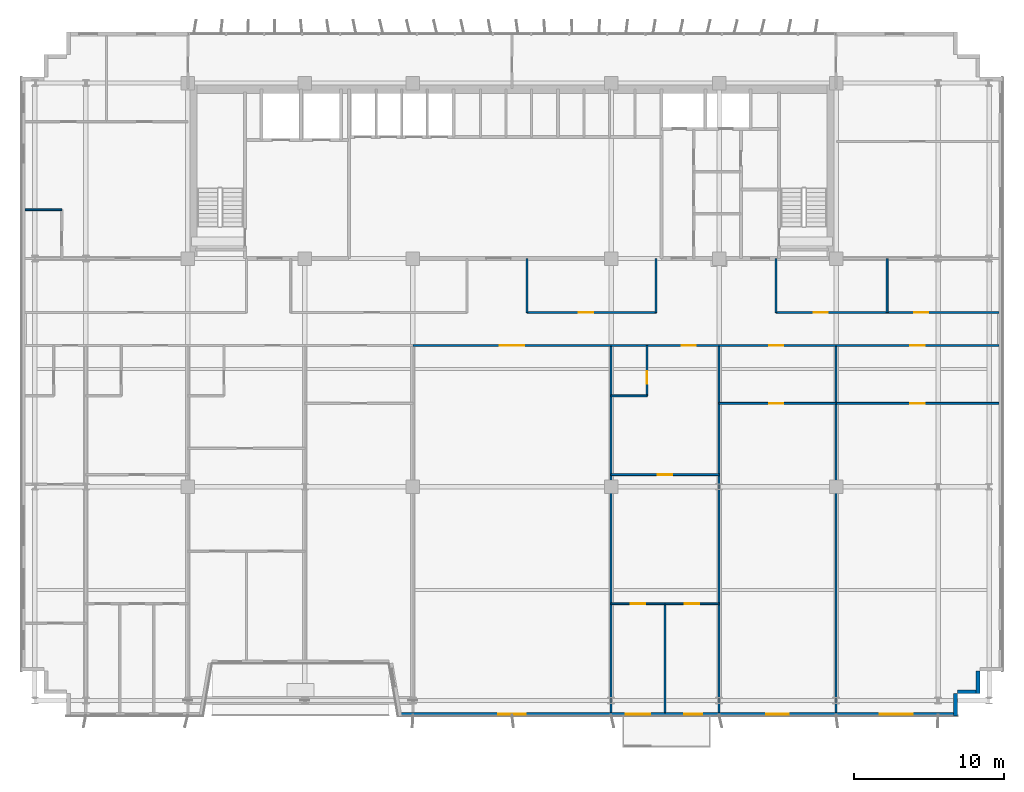
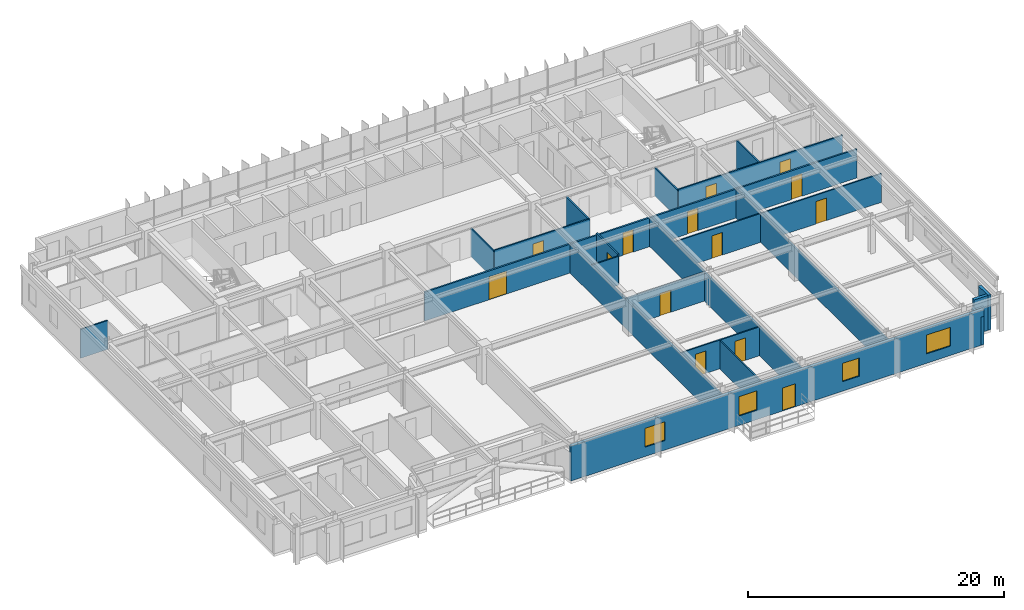
# One storey, part 17 of 23: 26 walls, 14 doors, 4 windows, 18 openings.
"""IFC4 building model written with IfcOpenShell, lengths in metres."""

from ifc_helpers import new_model, si_unit, direction, frame, frame_2d, origin, place, context, subcontext, project, spatial, rectangle, extrude, source, transform, mapped, material, layer, layer_set, type_object, element, fill, save


model = new_model("IFC4")

# Units and contexts
model_context = context("Model", 3, precision=1e-05, world=origin(), true_north=direction((0.0, 1.0)))
body_context = subcontext(model_context, "Body", "Model", "MODEL_VIEW")
ifc_project = project(units=[si_unit("LENGTHUNIT", "METRE"), si_unit("AREAUNIT", "SQUARE_METRE"), si_unit("VOLUMEUNIT", "CUBIC_METRE"), si_unit("PLANEANGLEUNIT", "RADIAN"), si_unit("MASSUNIT", "GRAM", prefix="KILO")], contexts=[model_context])

# Site, building, storey
site_placement = place(None, origin())
site = spatial("IfcSite", under=ifc_project, at=site_placement, CompositionType="ELEMENT")
building_placement = place(site_placement, origin())
building = spatial("IfcBuilding", under=site, at=building_placement, Name="Trelvane Seafront Commons", CompositionType="ELEMENT")
storey_placement = place(building_placement, frame((0.0, 0.0, 63.10009765625)))
storey = spatial("IfcBuildingStorey", under=building, at=storey_placement, Name="L16", CompositionType="ELEMENT", Elevation=63.10009765625)

# Walls
ifc_material_1 = material(Name="Precast concrete C40/50", Category="concrete")
ifc_layer_1 = layer(ifc_material_1, 0.260009765625, Name="ARCH-WALL-EXT260")
ifc_layer_set_1 = layer_set([ifc_layer_1], Name="Precast concrete C40/50")
wall_type_1 = type_object("IfcWallType", Name="ARCH-WALL-EXT260", PredefinedType="SOLIDWALL", material=ifc_layer_set_1)
for number, where, z_axis, x_axis, name in (
    (1, (68.27001953125, 5.89990234375, 0.0), (0.0, 0.0, 1.0), (0.0, -1.0, 0.0), "EW-L16-00292"),
    (2, (68.39990234375, 4.530029296875, 0.0), (0.0, 0.0, 1.0), (-1.0, 0.0, 0.0), "EW-L16-00293"),
):
    element("IfcWall", number, at=place(storey_placement, frame(where, z_axis=z_axis, x_axis=x_axis)), inside=storey, type_object=wall_type_1, Name=name, PredefinedType="SOLIDWALL", context=body_context, shape_type="SweptSolid", body=[
        extrude(rectangle(XDim=1.5, YDim=0.260009765625, at=frame_2d((0.75, 0.0))), origin(), (0.0, 0.0, 1.0), 3.33984375),
    ])
wall_1_placement = place(storey_placement, frame((66.77001953125, 4.39990234375, 0.0), z_axis=(0.0, 0.0, 1.0), x_axis=(0.0, -1.0, 0.0)))
element("IfcWall", 3, at=wall_1_placement, inside=storey, type_object=wall_type_1, Name="EW-L16-00294", PredefinedType="SOLIDWALL", context=body_context, shape_type="SweptSolid", body=[
    extrude(rectangle(XDim=1.5, YDim=0.260009765625, at=frame_2d((0.75, 0.0))), origin(), (0.0, 0.0, 1.0), 2.68994140625),
])

# Wall, openings, door, windows
wall_2_placement = place(storey_placement, frame((66.89990234375, 3.030029296875, 0.0), z_axis=(0.0, 0.0, 1.0), x_axis=(-1.0, 0.0, 0.0)))
wall_2 = element("IfcWall", 4, at=wall_2_placement, inside=storey, type_object=wall_type_1, Name="EW-L16-00295", PredefinedType="SOLIDWALL", context=body_context, shape_type="SweptSolid", body=[
    extrude(rectangle(XDim=37.2998046875, YDim=0.260009765625, at=frame_2d((18.64990234375, 0.0))), origin(), (0.0, 0.0, 1.0), 3.33984375),
])
opening_1_placement = place(wall_2_placement, frame((2.9951171875, 0.0, 0.89990234375)))
opening_1 = element("IfcOpeningElement", 5, at=opening_1_placement, cuts=wall_2, Name="Opening W02", PredefinedType="OPENING", context=body_context, shape_type="SweptSolid", body=[
    extrude(rectangle(XDim=2.199951171875, YDim=1.800048828125, at=frame_2d((1.10009765625, 0.89990234375))), frame((0.0, 0.139892578125, 0.0), z_axis=(0.0, -1.0, 0.0), x_axis=(1.0, 0.0, 0.0)), (0.0, 0.0, 1.0), 0.280029296875),
])
opening_2_placement = place(wall_2_placement, frame((11.25, 0.0, 0.89990234375)))
opening_2 = element("IfcOpeningElement", 6, at=opening_2_placement, cuts=wall_2, Name="Opening W03", PredefinedType="OPENING", context=body_context, shape_type="SweptSolid", body=[
    extrude(rectangle(XDim=1.5, YDim=1.75, at=frame_2d((0.75, 0.875))), frame((0.0, 0.139892578125, 0.0), z_axis=(0.0, -1.0, 0.0), x_axis=(1.0, 0.0, 0.0)), (0.0, 0.0, 1.0), 0.280029296875),
])
opening_3_placement = place(wall_2_placement, frame((17.007080078125, 0.0, 0.0)))
opening_3 = element("IfcOpeningElement", 7, at=opening_3_placement, cuts=wall_2, Name="Opening BD-L16-42", PredefinedType="OPENING", context=body_context, shape_type="SweptSolid", body=[
    extrude(rectangle(XDim=1.199951171875, YDim=2.199951171875, at=frame_2d((0.60009765625, 1.10009765625))), frame((0.0, 0.139892578125, 0.0), z_axis=(0.0, -1.0, 0.0), x_axis=(1.0, 0.0, 0.0)), (0.0, 0.0, 1.0), 0.280029296875),
])
opening_4_placement = place(wall_2_placement, frame((20.47509765625, 0.0, 0.89990234375)))
opening_4 = element("IfcOpeningElement", 8, at=opening_4_placement, cuts=wall_2, Name="Opening W07", PredefinedType="OPENING", context=body_context, shape_type="SweptSolid", body=[
    extrude(rectangle(XDim=1.64990234375, YDim=1.85009765625, at=frame_2d((0.824951171875, 0.925048828125))), frame((0.0, 0.139892578125, 0.0), z_axis=(0.0, -1.0, 0.0), x_axis=(1.0, 0.0, 0.0)), (0.0, 0.0, 1.0), 0.280029296875),
])
opening_5_placement = place(wall_2_placement, frame((28.800048828125, 0.0, 0.89990234375)))
opening_5 = element("IfcOpeningElement", 9, at=opening_5_placement, cuts=wall_2, Name="Opening W01", PredefinedType="OPENING", context=body_context, shape_type="SweptSolid", body=[
    extrude(rectangle(XDim=1.800048828125, YDim=1.800048828125, at=frame_2d((0.89990234375, 0.89990234375))), frame((0.0, 0.139892578125, 0.0), z_axis=(0.0, -1.0, 0.0), x_axis=(1.0, 0.0, 0.0)), (0.0, 0.0, 1.0), 0.280029296875),
])
ifc_material_2 = material(Name="Powder-coated aluminium frame", Category="aluminium")
door_type_1 = type_object("IfcDoorType", Name="ARCH-DR-BAL1200", OperationType="NOTDEFINED", PredefinedType="DOOR", material=ifc_material_2)
shared_shape_1 = source(origin(), body_context, "Body", "SweptSolid", [
    extrude(rectangle(XDim=1.199951171875, YDim=2.199951171875, at=frame_2d((0.60009765625, 1.10009765625))), frame((0.0, 0.02490234375, 0.0), z_axis=(0.0, -1.0, 0.0), x_axis=(1.0, 0.0, 0.0)), (0.0, 0.0, 1.0), 0.050048828125),
])
door_1_placement = place(opening_3_placement, origin())
door_1 = element("IfcDoor", 10, at=door_1_placement, inside=storey, type_object=door_type_1, Name="L16 Balcony Terrace Access Door", OperationType="SINGLE_SWING_LEFT", OverallHeight=2.199951171875, OverallWidth=1.199951171875, PredefinedType="DOOR", context=body_context, shape_type="MappedRepresentation", body=[
    mapped(shared_shape_1, transform((0.0, 0.0, 0.0), x_axis=(1.0, 0.0, 0.0), y_axis=(0.0, 1.0, 0.0), z_axis=(0.0, 0.0, 1.0), scale=1.0)),
])
fill(opening_3, door_1)
ifc_material_3 = material(Name="Low-E coastal double glazing", Category="glass")
window_type_1 = type_object("IfcWindowType", Name="ARCH-WIN-W02", PartitioningType="SINGLE_PANEL", PredefinedType="WINDOW", material=ifc_material_3)
shared_shape_2 = source(origin(), body_context, "Body", "SweptSolid", [
    extrude(rectangle(XDim=2.199951171875, YDim=1.800048828125, at=frame_2d((1.10009765625, 0.89990234375))), frame((0.0, 0.030029296875, 0.0), z_axis=(0.0, -1.0, 0.0), x_axis=(1.0, 0.0, 0.0)), (0.0, 0.0, 1.0), 0.06005859375),
])
window_1_placement = place(opening_1_placement, origin())
window_1 = element("IfcWindow", 11, at=window_1_placement, inside=storey, type_object=window_type_1, Name="WIN-L16-00345", OverallHeight=1.800048828125, OverallWidth=2.199951171875, PartitioningType="SINGLE_PANEL", PredefinedType="WINDOW", context=body_context, shape_type="MappedRepresentation", body=[
    mapped(shared_shape_2, transform((0.0, 0.0, 0.0), x_axis=(1.0, 0.0, 0.0), y_axis=(0.0, 1.0, 0.0), z_axis=(0.0, 0.0, 1.0), scale=1.0)),
])
fill(opening_1, window_1)
window_type_2 = type_object("IfcWindowType", Name="ARCH-WIN-W03", PartitioningType="SINGLE_PANEL", PredefinedType="WINDOW", material=ifc_material_3)
shared_shape_3 = source(origin(), body_context, "Body", "SweptSolid", [
    extrude(rectangle(XDim=1.5, YDim=1.75, at=frame_2d((0.75, 0.875))), frame((0.0, 0.030029296875, 0.0), z_axis=(0.0, -1.0, 0.0), x_axis=(1.0, 0.0, 0.0)), (0.0, 0.0, 1.0), 0.06005859375),
])
window_2_placement = place(opening_2_placement, origin())
window_2 = element("IfcWindow", 12, at=window_2_placement, inside=storey, type_object=window_type_2, Name="WIN-L16-00346", OverallHeight=1.75, OverallWidth=1.5, PartitioningType="SINGLE_PANEL", PredefinedType="WINDOW", context=body_context, shape_type="MappedRepresentation", body=[
    mapped(shared_shape_3, transform((0.0, 0.0, 0.0), x_axis=(1.0, 0.0, 0.0), y_axis=(0.0, 1.0, 0.0), z_axis=(0.0, 0.0, 1.0), scale=1.0)),
])
fill(opening_2, window_2)
window_type_3 = type_object("IfcWindowType", Name="ARCH-WIN-W01", PartitioningType="SINGLE_PANEL", PredefinedType="WINDOW", material=ifc_material_3)
shared_shape_4 = source(origin(), body_context, "Body", "SweptSolid", [
    extrude(rectangle(XDim=1.800048828125, YDim=1.800048828125, at=frame_2d((0.89990234375, 0.89990234375))), frame((0.0, 0.030029296875, 0.0), z_axis=(0.0, -1.0, 0.0), x_axis=(1.0, 0.0, 0.0)), (0.0, 0.0, 1.0), 0.06005859375),
])
window_3_placement = place(opening_5_placement, origin())
window_3 = element("IfcWindow", 13, at=window_3_placement, inside=storey, type_object=window_type_3, Name="WIN-L16-00348", OverallHeight=1.800048828125, OverallWidth=1.800048828125, PartitioningType="SINGLE_PANEL", PredefinedType="WINDOW", context=body_context, shape_type="MappedRepresentation", body=[
    mapped(shared_shape_4, transform((0.0, 0.0, 0.0), x_axis=(1.0, 0.0, 0.0), y_axis=(0.0, 1.0, 0.0), z_axis=(0.0, 0.0, 1.0), scale=1.0)),
])
fill(opening_5, window_3)
window_type_4 = type_object("IfcWindowType", Name="ARCH-WIN-W07", PartitioningType="SINGLE_PANEL", PredefinedType="WINDOW", material=ifc_material_3)
shared_shape_5 = source(origin(), body_context, "Body", "SweptSolid", [
    extrude(rectangle(XDim=1.64990234375, YDim=1.85009765625, at=frame_2d((0.824951171875, 0.925048828125))), frame((0.0, 0.030029296875, 0.0), z_axis=(0.0, -1.0, 0.0), x_axis=(1.0, 0.0, 0.0)), (0.0, 0.0, 1.0), 0.06005859375),
])
window_4_placement = place(opening_4_placement, origin())
window_4 = element("IfcWindow", 14, at=window_4_placement, inside=storey, type_object=window_type_4, Name="WIN-L16-00347", OverallHeight=1.85009765625, OverallWidth=1.64990234375, PartitioningType="SINGLE_PANEL", PredefinedType="WINDOW", context=body_context, shape_type="MappedRepresentation", body=[
    mapped(shared_shape_5, transform((0.0, 0.0, 0.0), x_axis=(1.0, 0.0, 0.0), y_axis=(0.0, 1.0, 0.0), z_axis=(0.0, 0.0, 1.0), scale=1.0)),
])
fill(opening_4, window_4)

# Wall, opening, door
ifc_material_4 = material(Name="Gypsum Drywall Acoustic Partition")
ifc_layer_2 = layer(ifc_material_4, 0.1201171875, Name="ARCH-WALL-PART120")
ifc_layer_set_2 = layer_set([ifc_layer_2], Name="Gypsum Drywall Acoustic Partition")
wall_type_2 = type_object("IfcWallType", Name="ARCH-WALL-PART120", PredefinedType="PARTITIONING", material=ifc_layer_set_2)
wall_3_placement = place(storey_placement, frame((38.199951171875, 29.800048828125, 0.0), z_axis=(0.0, 0.0, 1.0), x_axis=(1.0, 0.0, 0.0)))
wall_3 = element("IfcWall", 15, at=wall_3_placement, inside=storey, type_object=wall_type_2, Name="W-L16-CORR-N-M2-041", PredefinedType="PARTITIONING", context=body_context, shape_type="SweptSolid", body=[
    extrude(rectangle(XDim=8.60009765625, YDim=0.1201171875, at=frame_2d((4.300048828125, 0.0))), origin(), (0.0, 0.0, 1.0), 2.751953125),
])
opening_6_placement = place(wall_3_placement, frame((3.4619140625, 0.0, 0.0)))
opening_6 = element("IfcOpeningElement", 16, at=opening_6_placement, cuts=wall_3, Name="Opening D-L16-21", PredefinedType="OPENING", context=body_context, shape_type="SweptSolid", body=[
    extrude(rectangle(XDim=0.949951171875, YDim=2.14990234375, at=frame_2d((0.47509765625, 1.074951171875))), frame((0.0, 0.070068359375, 0.0), z_axis=(0.0, -1.0, 0.0), x_axis=(1.0, 0.0, 0.0)), (0.0, 0.0, 1.0), 0.14013671875),
])
ifc_material_5 = material(Name="Acoustic timber door leaf", Category="wood")
door_type_2 = type_object("IfcDoorType", Name="ARCH-DR-INT950", OperationType="NOTDEFINED", PredefinedType="DOOR", material=ifc_material_5)
shared_shape_6 = source(origin(), body_context, "Body", "SweptSolid", [
    extrude(rectangle(XDim=0.949951171875, YDim=2.14990234375, at=frame_2d((0.47509765625, 1.074951171875))), frame((0.0, 0.02490234375, 0.0), z_axis=(0.0, -1.0, 0.0), x_axis=(1.0, 0.0, 0.0)), (0.0, 0.0, 1.0), 0.050048828125),
])
door_2_placement = place(opening_6_placement, origin())
door_2 = element("IfcDoor", 17, at=door_2_placement, inside=storey, type_object=door_type_2, Name="L16 Door 21", OperationType="SINGLE_SWING_LEFT", OverallHeight=2.14990234375, OverallWidth=0.949951171875, PredefinedType="DOOR", context=body_context, shape_type="MappedRepresentation", body=[
    mapped(shared_shape_6, transform((0.0, 0.0, 0.0), x_axis=(1.0, 0.0, 0.0), y_axis=(0.0, 1.0, 0.0), z_axis=(0.0, 0.0, 1.0), scale=1.0)),
])
fill(opening_6, door_2)

# Wall, openings, doors
wall_4_placement = place(storey_placement, frame((54.800048828125, 29.800048828125, 0.0), z_axis=(0.0, 0.0, 1.0), x_axis=(1.0, 0.0, 0.0)))
wall_4 = element("IfcWall", 18, at=wall_4_placement, inside=storey, type_object=wall_type_2, Name="W-L16-CORR-N-E-042", PredefinedType="PARTITIONING", context=body_context, shape_type="SweptSolid", body=[
    extrude(rectangle(XDim=14.849853515625, YDim=0.1201171875, at=frame_2d((7.4248046875, 0.0))), origin(), (0.0, 0.0, 1.0), 2.751953125),
])
opening_7_placement = place(wall_4_placement, frame((2.5, 0.0, 0.0)))
opening_7 = element("IfcOpeningElement", 19, at=opening_7_placement, cuts=wall_4, Name="Opening D-L16-22", PredefinedType="OPENING", context=body_context, shape_type="SweptSolid", body=[
    extrude(rectangle(XDim=0.949951171875, YDim=2.14990234375, at=frame_2d((0.47509765625, 1.074951171875))), frame((0.0, 0.070068359375, 0.0), z_axis=(0.0, -1.0, 0.0), x_axis=(1.0, 0.0, 0.0)), (0.0, 0.0, 1.0), 0.14013671875),
])
opening_8_placement = place(wall_4_placement, frame((9.199951171875, 0.0, 0.0)))
opening_8 = element("IfcOpeningElement", 20, at=opening_8_placement, cuts=wall_4, Name="Opening D-L16-23", PredefinedType="OPENING", context=body_context, shape_type="SweptSolid", body=[
    extrude(rectangle(XDim=0.949951171875, YDim=2.14990234375, at=frame_2d((0.47509765625, 1.074951171875))), frame((0.0, 0.070068359375, 0.0), z_axis=(0.0, -1.0, 0.0), x_axis=(1.0, 0.0, 0.0)), (0.0, 0.0, 1.0), 0.14013671875),
])
door_3_placement = place(opening_7_placement, origin())
door_3 = element("IfcDoor", 21, at=door_3_placement, inside=storey, type_object=door_type_2, Name="L16 Door 22", OperationType="SINGLE_SWING_RIGHT", OverallHeight=2.14990234375, OverallWidth=0.949951171875, PredefinedType="DOOR", context=body_context, shape_type="MappedRepresentation", body=[
    mapped(shared_shape_6, transform((0.0, 0.0, 0.0), x_axis=(1.0, 0.0, 0.0), y_axis=(0.0, 1.0, 0.0), z_axis=(0.0, 0.0, 1.0), scale=1.0)),
])
fill(opening_7, door_3)
door_4_placement = place(opening_8_placement, origin())
door_4 = element("IfcDoor", 22, at=door_4_placement, inside=storey, type_object=door_type_2, Name="L16 Door 23", OperationType="SINGLE_SWING_LEFT", OverallHeight=2.14990234375, OverallWidth=0.949951171875, PredefinedType="DOOR", context=body_context, shape_type="MappedRepresentation", body=[
    mapped(shared_shape_6, transform((0.0, 0.0, 0.0), x_axis=(1.0, 0.0, 0.0), y_axis=(0.0, 1.0, 0.0), z_axis=(0.0, 0.0, 1.0), scale=1.0)),
])
fill(opening_8, door_4)

# Walls
for number, where, z_axis, x_axis, name in (
    (23, (62.199951171875, 29.800048828125, 0.0), (0.0, 0.0, 1.0), (0.0, 1.0, 0.0), "W-L16-N-LAUN-DV-043"),
    (24, (38.199951171875, 29.800048828125, 0.0), (0.0, 0.0, 1.0), (0.0, 1.0, 0.0), "W-L16-N-SPUR-M2-047"),
    (25, (46.800048828125, 29.800048828125, 0.0), (0.0, 0.0, 1.0), (0.0, 1.0, 0.0), "W-L16-N-SPUR-E1-048"),
    (26, (54.800048828125, 29.800048828125, 0.0), (0.0, 0.0, 1.0), (0.0, 1.0, 0.0), "W-L16-N-SPUR-E2-049"),
):
    element("IfcWall", number, at=place(storey_placement, frame(where, z_axis=z_axis, x_axis=x_axis)), inside=storey, type_object=wall_type_2, Name=name, PredefinedType="PARTITIONING", context=body_context, shape_type="SweptSolid", body=[
        extrude(rectangle(XDim=3.599853515625, YDim=0.1201171875, at=frame_2d((1.7998046875, 0.0))), origin(), (0.0, 0.0, 1.0), 2.68994140625),
    ])
wall_5_placement = place(storey_placement, frame((4.75, 36.64990234375, 0.0), z_axis=(0.0, 0.0, 1.0), x_axis=(1.0, 0.0, 0.0)))
element("IfcWall", 27, at=wall_5_placement, inside=storey, type_object=wall_type_2, Name="W-L16-NW-BN-051", PredefinedType="PARTITIONING", context=body_context, shape_type="SweptSolid", body=[
    extrude(rectangle(XDim=2.449951171875, YDim=0.1201171875, at=frame_2d((1.22509765625, 0.0))), origin(), (0.0, 0.0, 1.0), 2.751953125),
])

# Wall, opening, door
wall_6_placement = place(storey_placement, frame((43.800048828125, 19.0, 0.0), z_axis=(0.0, 0.0, 1.0), x_axis=(1.0, 0.0, 0.0)))
wall_6 = element("IfcWall", 28, at=wall_6_placement, inside=storey, type_object=wall_type_2, Name="W-L16-U6-KL-092", PredefinedType="PARTITIONING", context=body_context, shape_type="SweptSolid", body=[
    extrude(rectangle(XDim=7.199951171875, YDim=0.1201171875, at=frame_2d((3.60009765625, 0.0))), origin(), (0.0, 0.0, 1.0), 2.751953125),
])
opening_9_placement = place(wall_6_placement, frame((3.125, 0.0, 0.0)))
opening_9 = element("IfcOpeningElement", 29, at=opening_9_placement, cuts=wall_6, Name="Opening D-L16-51", PredefinedType="OPENING", context=body_context, shape_type="SweptSolid", body=[
    extrude(rectangle(XDim=0.949951171875, YDim=2.14990234375, at=frame_2d((0.47509765625, 1.074951171875))), frame((0.0, 0.070068359375, 0.0), z_axis=(0.0, -1.0, 0.0), x_axis=(1.0, 0.0, 0.0)), (0.0, 0.0, 1.0), 0.14013671875),
])
door_5_placement = place(opening_9_placement, origin())
door_5 = element("IfcDoor", 30, at=door_5_placement, inside=storey, type_object=door_type_2, Name="L16 Door 51", OperationType="SINGLE_SWING_LEFT", OverallHeight=2.14990234375, OverallWidth=0.949951171875, PredefinedType="DOOR", context=body_context, shape_type="MappedRepresentation", body=[
    mapped(shared_shape_6, transform((0.0, 0.0, 0.0), x_axis=(1.0, 0.0, 0.0), y_axis=(0.0, 1.0, 0.0), z_axis=(0.0, 0.0, 1.0), scale=1.0)),
])
fill(opening_9, door_5)

wall_7_placement = place(storey_placement, frame((46.199951171875, 24.25, 0.0), z_axis=(0.0, 0.0, 1.0), x_axis=(0.0, 1.0, 0.0)))
wall_7 = element("IfcWall", 31, at=wall_7_placement, inside=storey, type_object=wall_type_2, Name="W-L16-U6-BE-093", PredefinedType="PARTITIONING", context=body_context, shape_type="SweptSolid", body=[
    extrude(rectangle(XDim=3.35009765625, YDim=0.1201171875, at=frame_2d((1.675048828125, 0.0))), origin(), (0.0, 0.0, 1.0), 2.93994140625),
])
opening_10_placement = place(wall_7_placement, frame((0.800048828125, 0.0, 0.0)))
opening_10 = element("IfcOpeningElement", 32, at=opening_10_placement, cuts=wall_7, Name="Opening D-L16-52", PredefinedType="OPENING", context=body_context, shape_type="SweptSolid", body=[
    extrude(rectangle(XDim=0.85009765625, YDim=2.10009765625, at=frame_2d((0.425048828125, 1.050048828125))), frame((0.0, 0.070068359375, 0.0), z_axis=(0.0, -1.0, 0.0), x_axis=(1.0, 0.0, 0.0)), (0.0, 0.0, 1.0), 0.14013671875),
])
door_type_3 = type_object("IfcDoorType", Name="ARCH-DR-INT850", OperationType="NOTDEFINED", PredefinedType="DOOR", material=ifc_material_5)
shared_shape_7 = source(origin(), body_context, "Body", "SweptSolid", [
    extrude(rectangle(XDim=0.85009765625, YDim=2.10009765625, at=frame_2d((0.425048828125, 1.050048828125))), frame((0.0, 0.02490234375, 0.0), z_axis=(0.0, -1.0, 0.0), x_axis=(1.0, 0.0, 0.0)), (0.0, 0.0, 1.0), 0.050048828125),
])
door_6_placement = place(opening_10_placement, origin())
door_6 = element("IfcDoor", 33, at=door_6_placement, inside=storey, type_object=door_type_3, Name="L16 Door 52", OperationType="SINGLE_SWING_RIGHT", OverallHeight=2.10009765625, OverallWidth=0.85009765625, PredefinedType="DOOR", context=body_context, shape_type="MappedRepresentation", body=[
    mapped(shared_shape_7, transform((0.0, 0.0, 0.0), x_axis=(1.0, 0.0, 0.0), y_axis=(0.0, 1.0, 0.0), z_axis=(0.0, 0.0, 1.0), scale=1.0)),
])
fill(opening_10, door_6)

# Wall
wall_8_placement = place(storey_placement, frame((43.800048828125, 24.25, 0.0), z_axis=(0.0, 0.0, 1.0), x_axis=(1.0, 0.0, 0.0)))
element("IfcWall", 34, at=wall_8_placement, inside=storey, type_object=wall_type_2, Name="W-L16-U6-BS-094", PredefinedType="PARTITIONING", context=body_context, shape_type="SweptSolid", body=[
    extrude(rectangle(XDim=2.39990234375, YDim=0.1201171875, at=frame_2d((1.199951171875, 0.0))), origin(), (0.0, 0.0, 1.0), 2.751953125),
])

# Wall, opening, door
wall_9_placement = place(storey_placement, frame((43.800048828125, 10.39990234375, 0.0), z_axis=(0.0, 0.0, 1.0), x_axis=(1.0, 0.0, 0.0)))
wall_9 = element("IfcWall", 35, at=wall_9_placement, inside=storey, type_object=wall_type_2, Name="W-L16-U6-YM-1-096", PredefinedType="PARTITIONING", context=body_context, shape_type="SweptSolid", body=[
    extrude(rectangle(XDim=3.599853515625, YDim=0.1201171875, at=frame_2d((1.7998046875, 0.0))), origin(), (0.0, 0.0, 1.0), 2.751953125),
])
opening_11_placement = place(wall_9_placement, frame((1.324951171875, 0.0, 0.0)))
opening_11 = element("IfcOpeningElement", 36, at=opening_11_placement, cuts=wall_9, Name="Opening D-L16-54", PredefinedType="OPENING", context=body_context, shape_type="SweptSolid", body=[
    extrude(rectangle(XDim=0.949951171875, YDim=2.14990234375, at=frame_2d((0.47509765625, 1.074951171875))), frame((0.0, 0.070068359375, 0.0), z_axis=(0.0, -1.0, 0.0), x_axis=(1.0, 0.0, 0.0)), (0.0, 0.0, 1.0), 0.14013671875),
])
door_7_placement = place(opening_11_placement, origin())
door_7 = element("IfcDoor", 37, at=door_7_placement, inside=storey, type_object=door_type_2, Name="L16 Door 54", OperationType="SINGLE_SWING_RIGHT", OverallHeight=2.14990234375, OverallWidth=0.949951171875, PredefinedType="DOOR", context=body_context, shape_type="MappedRepresentation", body=[
    mapped(shared_shape_6, transform((0.0, 0.0, 0.0), x_axis=(1.0, 0.0, 0.0), y_axis=(0.0, 1.0, 0.0), z_axis=(0.0, 0.0, 1.0), scale=1.0)),
])
fill(opening_11, door_7)

wall_10_placement = place(storey_placement, frame((47.39990234375, 10.39990234375, 0.0), z_axis=(0.0, 0.0, 1.0), x_axis=(1.0, 0.0, 0.0)))
wall_10 = element("IfcWall", 38, at=wall_10_placement, inside=storey, type_object=wall_type_2, Name="W-L16-U6-YM-2-097", PredefinedType="PARTITIONING", context=body_context, shape_type="SweptSolid", body=[
    extrude(rectangle(XDim=3.60009765625, YDim=0.1201171875, at=frame_2d((1.800048828125, 0.0))), origin(), (0.0, 0.0, 1.0), 2.751953125),
])
opening_12_placement = place(wall_10_placement, frame((1.324951171875, 0.0, 0.0)))
opening_12 = element("IfcOpeningElement", 39, at=opening_12_placement, cuts=wall_10, Name="Opening D-L16-55", PredefinedType="OPENING", context=body_context, shape_type="SweptSolid", body=[
    extrude(rectangle(XDim=0.949951171875, YDim=2.14990234375, at=frame_2d((0.47509765625, 1.074951171875))), frame((0.0, 0.070068359375, 0.0), z_axis=(0.0, -1.0, 0.0), x_axis=(1.0, 0.0, 0.0)), (0.0, 0.0, 1.0), 0.14013671875),
])
door_8_placement = place(opening_12_placement, origin())
door_8 = element("IfcDoor", 40, at=door_8_placement, inside=storey, type_object=door_type_2, Name="L16 Door 55", OperationType="SINGLE_SWING_LEFT", OverallHeight=2.14990234375, OverallWidth=0.949951171875, PredefinedType="DOOR", context=body_context, shape_type="MappedRepresentation", body=[
    mapped(shared_shape_6, transform((0.0, 0.0, 0.0), x_axis=(1.0, 0.0, 0.0), y_axis=(0.0, 1.0, 0.0), z_axis=(0.0, 0.0, 1.0), scale=1.0)),
])
fill(opening_12, door_8)

# Wall
wall_11_placement = place(storey_placement, frame((47.39990234375, 3.14501953125, 0.0), z_axis=(0.0, 0.0, 1.0), x_axis=(0.0, 1.0, 0.0)))
element("IfcWall", 41, at=wall_11_placement, inside=storey, type_object=wall_type_2, Name="W-L16-U6-BDV-1-098", PredefinedType="PARTITIONING", context=body_context, shape_type="SweptSolid", body=[
    extrude(rectangle(XDim=7.2548828125, YDim=0.1201171875, at=frame_2d((3.62744140625, 0.0))), origin(), (0.0, 0.0, 1.0), 2.68994140625),
])

# Wall, opening, door
wall_12_placement = place(storey_placement, frame((51.0, 23.75, 0.0), z_axis=(0.0, 0.0, 1.0), x_axis=(1.0, 0.0, 0.0)))
wall_12 = element("IfcWall", 42, at=wall_12_placement, inside=storey, type_object=wall_type_2, Name="W-L16-U7-DIV-100", PredefinedType="PARTITIONING", context=body_context, shape_type="SweptSolid", body=[
    extrude(rectangle(XDim=7.800048828125, YDim=0.1201171875, at=frame_2d((3.89990234375, 0.0))), origin(), (0.0, 0.0, 1.0), 2.751953125),
])
opening_13_placement = place(wall_12_placement, frame((3.3330078125, 0.0, 0.0)))
opening_13 = element("IfcOpeningElement", 43, at=opening_13_placement, cuts=wall_12, Name="Opening D-L16-57", PredefinedType="OPENING", context=body_context, shape_type="SweptSolid", body=[
    extrude(rectangle(XDim=0.949951171875, YDim=2.14990234375, at=frame_2d((0.47509765625, 1.074951171875))), frame((0.0, 0.070068359375, 0.0), z_axis=(0.0, -1.0, 0.0), x_axis=(1.0, 0.0, 0.0)), (0.0, 0.0, 1.0), 0.14013671875),
])
door_9_placement = place(opening_13_placement, origin())
door_9 = element("IfcDoor", 44, at=door_9_placement, inside=storey, type_object=door_type_2, Name="L16 Door 57", OperationType="SINGLE_SWING_LEFT", OverallHeight=2.14990234375, OverallWidth=0.949951171875, PredefinedType="DOOR", context=body_context, shape_type="MappedRepresentation", body=[
    mapped(shared_shape_6, transform((0.0, 0.0, 0.0), x_axis=(1.0, 0.0, 0.0), y_axis=(0.0, 1.0, 0.0), z_axis=(0.0, 0.0, 1.0), scale=1.0)),
])
fill(opening_13, door_9)

wall_13_placement = place(storey_placement, frame((58.800048828125, 23.75, 0.0), z_axis=(0.0, 0.0, 1.0), x_axis=(1.0, 0.0, 0.0)))
wall_13 = element("IfcWall", 45, at=wall_13_placement, inside=storey, type_object=wall_type_2, Name="W-L16-U8-DIV-102", PredefinedType="PARTITIONING", context=body_context, shape_type="SweptSolid", body=[
    extrude(rectangle(XDim=10.85498046875, YDim=0.1201171875, at=frame_2d((5.427490234375, 0.0))), origin(), (0.0, 0.0, 1.0), 2.751953125),
])
opening_14_placement = place(wall_13_placement, frame((4.952880859375, 0.0, 0.0)))
opening_14 = element("IfcOpeningElement", 46, at=opening_14_placement, cuts=wall_13, Name="Opening D-L16-59", PredefinedType="OPENING", context=body_context, shape_type="SweptSolid", body=[
    extrude(rectangle(XDim=0.949951171875, YDim=2.14990234375, at=frame_2d((0.47509765625, 1.074951171875))), frame((0.0, 0.070068359375, 0.0), z_axis=(0.0, -1.0, 0.0), x_axis=(1.0, 0.0, 0.0)), (0.0, 0.0, 1.0), 0.14013671875),
])
door_10_placement = place(opening_14_placement, origin())
door_10 = element("IfcDoor", 47, at=door_10_placement, inside=storey, type_object=door_type_2, Name="L16 Door 59", OperationType="SINGLE_SWING_LEFT", OverallHeight=2.14990234375, OverallWidth=0.949951171875, PredefinedType="DOOR", context=body_context, shape_type="MappedRepresentation", body=[
    mapped(shared_shape_6, transform((0.0, 0.0, 0.0), x_axis=(1.0, 0.0, 0.0), y_axis=(0.0, 1.0, 0.0), z_axis=(0.0, 0.0, 1.0), scale=1.0)),
])
fill(opening_14, door_10)

# Walls
ifc_layer_3 = layer(ifc_material_4, 0.14990234375, Name="ARCH-WALL-PART150")
ifc_layer_set_3 = layer_set([ifc_layer_3], Name="Gypsum Drywall Acoustic Partition")
wall_type_3 = type_object("IfcWallType", Name="ARCH-WALL-PART150", PredefinedType="PARTITIONING", material=ifc_layer_set_3)
for number, where, z_axis, x_axis, name in (
    (48, (43.800048828125, 3.14501953125, 0.0), (0.0, 0.0, 1.0), (0.0, 1.0, 0.0), "W-L16-PW-5-065"),
    (49, (51.0, 3.14501953125, 0.0), (0.0, 0.0, 1.0), (0.0, 1.0, 0.0), "W-L16-PW-6-066"),
    (50, (58.800048828125, 3.14501953125, 0.0), (0.0, 0.0, 1.0), (0.0, 1.0, 0.0), "W-L16-PW-7-067"),
):
    element("IfcWall", number, at=place(storey_placement, frame(where, z_axis=z_axis, x_axis=x_axis)), inside=storey, type_object=wall_type_3, Name=name, PredefinedType="PARTITIONING", context=body_context, shape_type="SweptSolid", body=[
        extrude(rectangle(XDim=24.455078125, YDim=0.14990234375, at=frame_2d((12.2275390625, 0.0))), origin(), (0.0, 0.0, 1.0), 2.751953125),
    ])

# Wall, opening, door
wall_14_placement = place(storey_placement, frame((30.60009765625, 27.60009765625, 0.0), z_axis=(0.0, 0.0, 1.0), x_axis=(1.0, 0.0, 0.0)))
wall_14 = element("IfcWall", 51, at=wall_14_placement, inside=storey, type_object=wall_type_3, Name="W-L16-CS-BAY-5-091", PredefinedType="PARTITIONING", context=body_context, shape_type="SweptSolid", body=[
    extrude(rectangle(XDim=13.199951171875, YDim=0.14990234375, at=frame_2d((6.60009765625, 0.0))), origin(), (0.0, 0.0, 1.0), 2.751953125),
])
opening_15_placement = place(wall_14_placement, frame((5.800048828125, 0.0, 0.0)))
opening_15 = element("IfcOpeningElement", 52, at=opening_15_placement, cuts=wall_14, Name="Opening D-L16-50", PredefinedType="OPENING", context=body_context, shape_type="SweptSolid", body=[
    extrude(rectangle(XDim=1.60009765625, YDim=2.199951171875, at=frame_2d((0.800048828125, 1.10009765625))), frame((0.0, 0.0849609375, 0.0), z_axis=(0.0, -1.0, 0.0), x_axis=(1.0, 0.0, 0.0)), (0.0, 0.0, 1.0), 0.169921875),
])
door_type_4 = type_object("IfcDoorType", Name="ARCH-DR-GLZ1600", OperationType="DOUBLE_DOOR_SINGLE_SWING", PredefinedType="DOOR", material=ifc_material_5)
shared_shape_8 = source(origin(), body_context, "Body", "SweptSolid", [
    extrude(rectangle(XDim=1.60009765625, YDim=2.199951171875, at=frame_2d((0.800048828125, 1.10009765625))), frame((0.0, 0.02490234375, 0.0), z_axis=(0.0, -1.0, 0.0), x_axis=(1.0, 0.0, 0.0)), (0.0, 0.0, 1.0), 0.050048828125),
])
door_11_placement = place(opening_15_placement, origin())
door_11 = element("IfcDoor", 53, at=door_11_placement, inside=storey, type_object=door_type_4, Name="L16 Commons Lounge 05 Door", OperationType="DOUBLE_DOOR_SINGLE_SWING", OverallHeight=2.199951171875, OverallWidth=1.60009765625, PredefinedType="DOOR", context=body_context, shape_type="MappedRepresentation", body=[
    mapped(shared_shape_8, transform((0.0, 0.0, 0.0), x_axis=(1.0, 0.0, 0.0), y_axis=(0.0, 1.0, 0.0), z_axis=(0.0, 0.0, 1.0), scale=1.0)),
])
fill(opening_15, door_11)

wall_15_placement = place(storey_placement, frame((43.800048828125, 27.60009765625, 0.0), z_axis=(0.0, 0.0, 1.0), x_axis=(1.0, 0.0, 0.0)))
wall_15 = element("IfcWall", 54, at=wall_15_placement, inside=storey, type_object=wall_type_3, Name="W-L16-CS-BAY-6-095", PredefinedType="PARTITIONING", context=body_context, shape_type="SweptSolid", body=[
    extrude(rectangle(XDim=7.199951171875, YDim=0.14990234375, at=frame_2d((3.60009765625, 0.0))), origin(), (0.0, 0.0, 1.0), 2.751953125),
])
opening_16_placement = place(wall_15_placement, frame((4.7060546875, 0.0, 0.0)))
opening_16 = element("IfcOpeningElement", 55, at=opening_16_placement, cuts=wall_15, Name="Opening FD-L16-53", PredefinedType="OPENING", context=body_context, shape_type="SweptSolid", body=[
    extrude(rectangle(XDim=0.949951171875, YDim=2.14990234375, at=frame_2d((0.47509765625, 1.074951171875))), frame((0.0, 0.0849609375, 0.0), z_axis=(0.0, -1.0, 0.0), x_axis=(1.0, 0.0, 0.0)), (0.0, 0.0, 1.0), 0.169921875),
])
door_type_5 = type_object("IfcDoorType", Name="ARCH-DR-FD60-950", OperationType="NOTDEFINED", PredefinedType="DOOR", material=ifc_material_2)
door_12_placement = place(opening_16_placement, origin())
door_12 = element("IfcDoor", 56, at=door_12_placement, inside=storey, type_object=door_type_5, Name="L16 Unit 06 Entrance Door", OperationType="SINGLE_SWING_LEFT", OverallHeight=2.14990234375, OverallWidth=0.949951171875, PredefinedType="DOOR", context=body_context, shape_type="MappedRepresentation", body=[
    mapped(shared_shape_6, transform((0.0, 0.0, 0.0), x_axis=(1.0, 0.0, 0.0), y_axis=(0.0, 1.0, 0.0), z_axis=(0.0, 0.0, 1.0), scale=1.0)),
])
fill(opening_16, door_12)

wall_16_placement = place(storey_placement, frame((51.0, 27.60009765625, 0.0), z_axis=(0.0, 0.0, 1.0), x_axis=(1.0, 0.0, 0.0)))
wall_16 = element("IfcWall", 57, at=wall_16_placement, inside=storey, type_object=wall_type_3, Name="W-L16-CS-BAY-7-099", PredefinedType="PARTITIONING", context=body_context, shape_type="SweptSolid", body=[
    extrude(rectangle(XDim=7.800048828125, YDim=0.14990234375, at=frame_2d((3.89990234375, 0.0))), origin(), (0.0, 0.0, 1.0), 2.751953125),
])
opening_17_placement = place(wall_16_placement, frame((3.3330078125, 0.0, 0.0)))
opening_17 = element("IfcOpeningElement", 58, at=opening_17_placement, cuts=wall_16, Name="Opening FD-L16-56", PredefinedType="OPENING", context=body_context, shape_type="SweptSolid", body=[
    extrude(rectangle(XDim=0.949951171875, YDim=2.14990234375, at=frame_2d((0.47509765625, 1.074951171875))), frame((0.0, 0.0849609375, 0.0), z_axis=(0.0, -1.0, 0.0), x_axis=(1.0, 0.0, 0.0)), (0.0, 0.0, 1.0), 0.169921875),
])
door_13_placement = place(opening_17_placement, origin())
door_13 = element("IfcDoor", 59, at=door_13_placement, inside=storey, type_object=door_type_5, Name="L16 Bay 07 Entrance Door", OperationType="SINGLE_SWING_RIGHT", OverallHeight=2.14990234375, OverallWidth=0.949951171875, PredefinedType="DOOR", context=body_context, shape_type="MappedRepresentation", body=[
    mapped(shared_shape_6, transform((0.0, 0.0, 0.0), x_axis=(1.0, 0.0, 0.0), y_axis=(0.0, 1.0, 0.0), z_axis=(0.0, 0.0, 1.0), scale=1.0)),
])
fill(opening_17, door_13)

wall_17_placement = place(storey_placement, frame((58.800048828125, 27.60009765625, 0.0), z_axis=(0.0, 0.0, 1.0), x_axis=(1.0, 0.0, 0.0)))
wall_17 = element("IfcWall", 60, at=wall_17_placement, inside=storey, type_object=wall_type_3, Name="W-L16-CS-BAY-8-101", PredefinedType="PARTITIONING", context=body_context, shape_type="SweptSolid", body=[
    extrude(rectangle(XDim=10.85498046875, YDim=0.14990234375, at=frame_2d((5.427490234375, 0.0))), origin(), (0.0, 0.0, 1.0), 2.751953125),
])
opening_18_placement = place(wall_17_placement, frame((4.952880859375, 0.0, 0.0)))
opening_18 = element("IfcOpeningElement", 61, at=opening_18_placement, cuts=wall_17, Name="Opening FD-L16-58", PredefinedType="OPENING", context=body_context, shape_type="SweptSolid", body=[
    extrude(rectangle(XDim=0.949951171875, YDim=2.14990234375, at=frame_2d((0.47509765625, 1.074951171875))), frame((0.0, 0.0849609375, 0.0), z_axis=(0.0, -1.0, 0.0), x_axis=(1.0, 0.0, 0.0)), (0.0, 0.0, 1.0), 0.169921875),
])
door_14_placement = place(opening_18_placement, origin())
door_14 = element("IfcDoor", 62, at=door_14_placement, inside=storey, type_object=door_type_5, Name="L16 Bay 08 Entrance Door", OperationType="SINGLE_SWING_RIGHT", OverallHeight=2.14990234375, OverallWidth=0.949951171875, PredefinedType="DOOR", context=body_context, shape_type="MappedRepresentation", body=[
    mapped(shared_shape_6, transform((0.0, 0.0, 0.0), x_axis=(1.0, 0.0, 0.0), y_axis=(0.0, 1.0, 0.0), z_axis=(0.0, 0.0, 1.0), scale=1.0)),
])
fill(opening_18, door_14)

save(model, "model.ifc")
